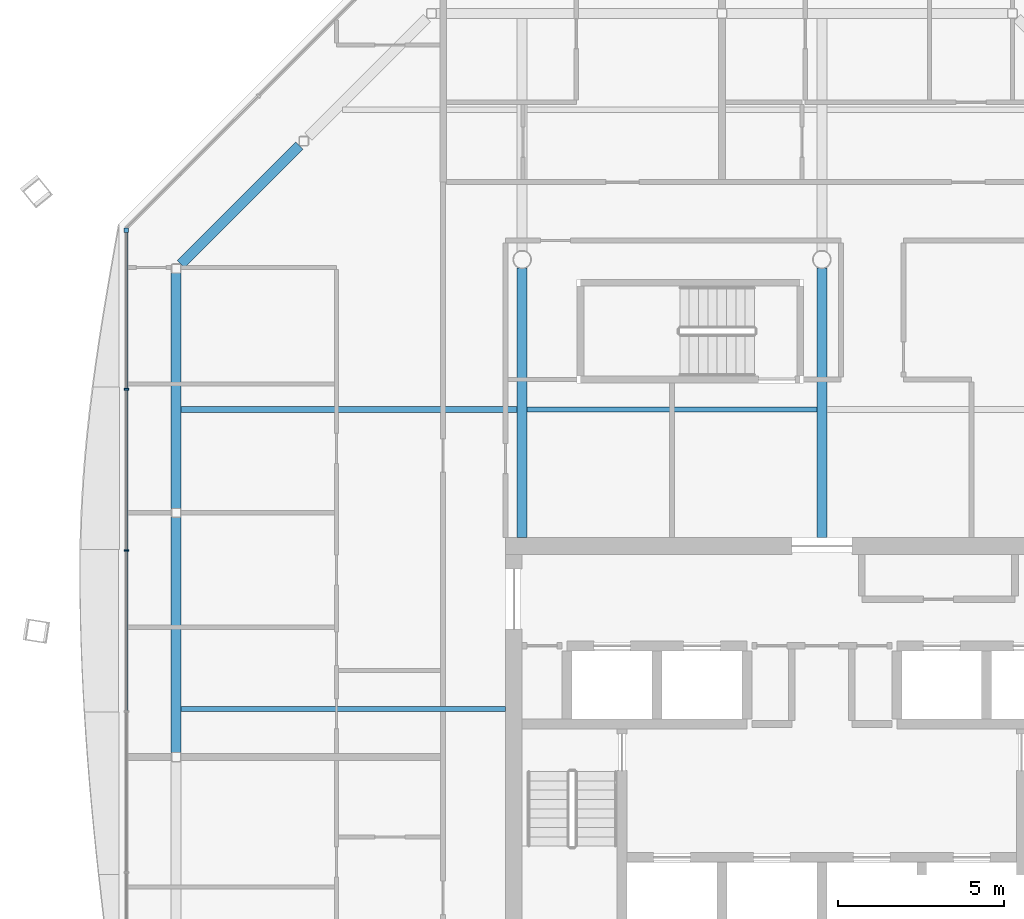
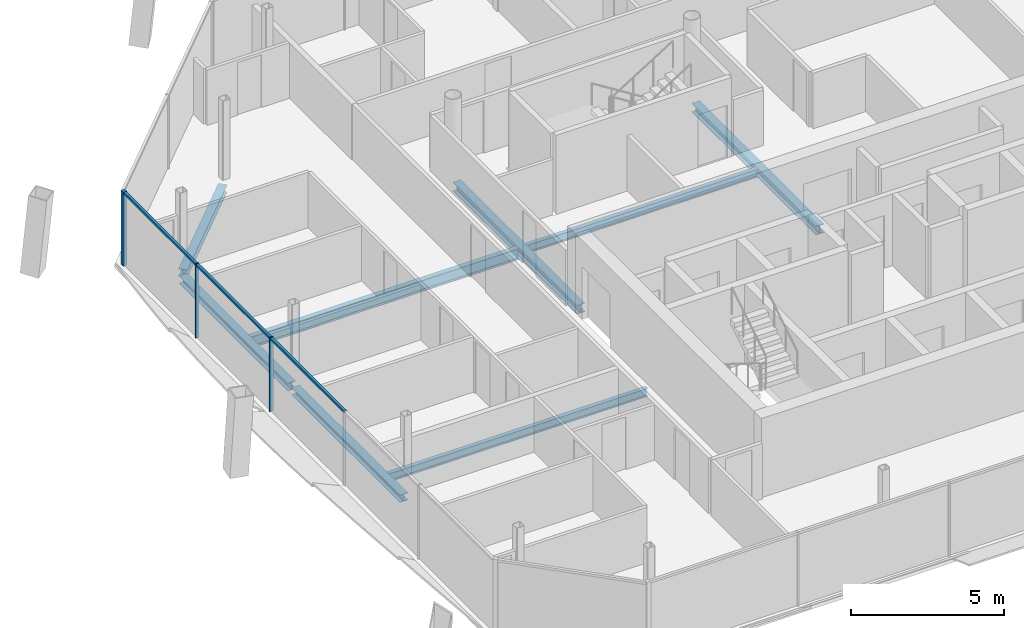
# One storey, part 5 of 15: 8 beams, 6 members, 1 element without a shape of its own.
"""IFC4 building model written with IfcOpenShell, lengths in metres."""

from ifc_helpers import new_model, si_unit, direction, frame, origin, origin_2d, place, context, subcontext, project, spatial, rectangle, i_section, extrude, material, material_profile, profile_set, type_object, element, aggregate, save


model = new_model("IFC4")

# Units and contexts
model_context = context("Model", 3, precision=1e-05, world=origin(), true_north=direction((0.0, 1.0)))
body_context = subcontext(model_context, "Body", "Model", "MODEL_VIEW")
ifc_project = project(units=[si_unit("LENGTHUNIT", "METRE"), si_unit("AREAUNIT", "SQUARE_METRE"), si_unit("VOLUMEUNIT", "CUBIC_METRE"), si_unit("PLANEANGLEUNIT", "RADIAN"), si_unit("MASSUNIT", "GRAM", prefix="KILO")], contexts=[model_context])

# Site, building, storey
site_placement = place(None, origin())
site = spatial("IfcSite", under=ifc_project, at=site_placement, CompositionType="ELEMENT")
building_placement = place(site_placement, origin())
building = spatial("IfcBuilding", under=site, at=building_placement, Name="Tskaro Facet Tower", CompositionType="ELEMENT")
storey_placement = place(building_placement, frame((0.0, 0.0, 242.39990234375)))
storey = spatial("IfcBuildingStorey", under=building, at=storey_placement, Name="L63", CompositionType="ELEMENT", Elevation=242.39990234375)

# Curtain wall, members
ifc_material_1 = material(Name="Bronze anodised aluminium 6063-T6", Category="aluminium")
curtain_wall_type = type_object("IfcCurtainWallType", Name="Bronze residence curtain wall (FW3)", PredefinedType="NOTDEFINED", material=ifc_material_1)
curtain_wall_placement = place(storey_placement, origin())
curtain_wall = element("IfcCurtainWall", 1, at=curtain_wall_placement, inside=storey, type_object=curtain_wall_type, Name="FW3 west facet L63", PredefinedType="NOTDEFINED")
ifc_material_profile_1 = material_profile(ifc_material_1, rectangle(XDim=0.139892578125, YDim=0.139892578125, at=origin_2d()), Name="Corner post 140x140")
ifc_profile_set_1 = profile_set([ifc_material_profile_1], Name="Bronze anodised aluminium 6063-T6")
member_type_1 = type_object("IfcMemberType", Name="FW3 bronze corner post 140x140", PredefinedType="MULLION", material=ifc_profile_set_1)
member_1_placement = place(storey_placement, frame((-20.888916015625, 9.8779296875, 0.0), z_axis=(0.0, 0.0, 1.0), x_axis=(0.0, -1.0, 0.0)))
member_1 = element("IfcMember", 2, at=member_1_placement, type_object=member_type_1, Name="FW3 west corner post", PredefinedType="MULLION", context=body_context, shape_type="SweptSolid", body=[
    extrude(rectangle(XDim=0.139892578125, YDim=0.139892578125, at=origin_2d()), origin(), (0.0, 0.0, 1.0), 2.9501953125),
])
ifc_material_profile_2 = material_profile(ifc_material_1, rectangle(XDim=0.050048828125, YDim=0.139892578125, at=origin_2d()), Name="Mullion 50x140")
ifc_profile_set_2 = profile_set([ifc_material_profile_2], Name="Bronze anodised aluminium 6063-T6")
member_type_2 = type_object("IfcMemberType", Name="FW3 bronze mullion 50x140", PredefinedType="MULLION", material=ifc_profile_set_2)
member_2_placement = place(storey_placement, frame((-20.888916015625, 5.10791015625, 0.0), z_axis=(0.0, 0.0, 1.0), x_axis=(0.0, -1.0, 0.0)))
member_2 = element("IfcMember", 3, at=member_2_placement, type_object=member_type_2, Name="FW3 west mullion 1", PredefinedType="MULLION", context=body_context, shape_type="SweptSolid", body=[
    extrude(rectangle(XDim=0.050048828125, YDim=0.139892578125, at=origin_2d()), origin(), (0.0, 0.0, 1.0), 2.9501953125),
])
member_3_placement = place(storey_placement, frame((-20.888916015625, 0.267578125, 0.0), z_axis=(0.0, 0.0, 1.0), x_axis=(0.0, -1.0, 0.0)))
member_3 = element("IfcMember", 4, at=member_3_placement, type_object=member_type_2, Name="FW3 west mullion 2", PredefinedType="MULLION", context=body_context, shape_type="SweptSolid", body=[
    extrude(rectangle(XDim=0.050048828125, YDim=0.139892578125, at=origin_2d()), origin(), (0.0, 0.0, 1.0), 2.9501953125),
])
ifc_material_profile_3 = material_profile(ifc_material_1, rectangle(XDim=0.10009765625, YDim=0.090087890625, at=origin_2d()), Name="Transom 100x90")
ifc_profile_set_3 = profile_set([ifc_material_profile_3], Name="Bronze anodised aluminium 6063-T6")
member_type_3 = type_object("IfcMemberType", Name="FW3 bronze transom 100x90", PredefinedType="USERDEFINED", material=ifc_profile_set_3)
member_4_placement = place(storey_placement, frame((-20.888916015625, 9.80810546875, 2.905029296875), z_axis=(0.0, -1.0, 0.0), x_axis=(1.0, 0.0, 0.0)))
member_4 = element("IfcMember", 5, at=member_4_placement, type_object=member_type_3, Name="FW3 west transom 1.1", ObjectType="TRANSOM", PredefinedType="USERDEFINED", context=body_context, shape_type="SweptSolid", body=[
    extrude(rectangle(XDim=0.10009765625, YDim=0.090087890625, at=origin_2d()), origin(), (0.0, 0.0, 1.0), 4.67529296875),
])
member_5_placement = place(storey_placement, frame((-20.888916015625, 5.082763671875, 2.905029296875), z_axis=(0.0, -1.0, 0.0), x_axis=(1.0, 0.0, 0.0)))
member_5 = element("IfcMember", 6, at=member_5_placement, type_object=member_type_3, Name="FW3 west transom 2.1", ObjectType="TRANSOM", PredefinedType="USERDEFINED", context=body_context, shape_type="SweptSolid", body=[
    extrude(rectangle(XDim=0.10009765625, YDim=0.090087890625, at=origin_2d()), origin(), (0.0, 0.0, 1.0), 4.790283203125),
])
member_6_placement = place(storey_placement, frame((-20.888916015625, 0.24267578125, 2.905029296875), z_axis=(0.0, -1.0, 0.0), x_axis=(1.0, 0.0, 0.0)))
member_6 = element("IfcMember", 7, at=member_6_placement, type_object=member_type_3, Name="FW3 west transom 3.1", ObjectType="TRANSOM", PredefinedType="USERDEFINED", context=body_context, shape_type="SweptSolid", body=[
    extrude(rectangle(XDim=0.10009765625, YDim=0.090087890625, at=origin_2d()), origin(), (0.0, 0.0, 1.0), 4.790283203125),
])
aggregate(curtain_wall, [member_1, member_2, member_3, member_4, member_5, member_6])

# Beams
ifc_material_2 = material(Name="Steel S355J2", Category="steel")
ifc_material_profile_4 = material_profile(ifc_material_2, i_section(OverallWidth=0.300048828125, OverallDepth=0.300048828125, WebThickness=0.010986328125, FlangeThickness=0.01904296875, FilletRadius=0.027099609375, at=origin_2d()), Name="HE 300 B")
ifc_profile_set_4 = profile_set([ifc_material_profile_4], Name="Steel S355J2")
beam_type_1 = type_object("IfcBeamType", Name="HE 300 B ring beam", PredefinedType="BEAM", material=ifc_profile_set_4)
beam_1_placement = place(storey_placement, frame((-15.69384765625, 12.422119140625, -0.289794921875), z_axis=(-0.707106781187, -0.707106781187, 0.0), x_axis=(0.707106781187, -0.707106781187, 0.0)))
element("IfcBeam", 8, at=beam_1_placement, inside=storey, type_object=beam_type_1, Name="HE 300 B EB13-5", PredefinedType="BEAM", context=body_context, shape_type="SweptSolid", body=[
    extrude(i_section(OverallWidth=0.300048828125, OverallDepth=0.300048828125, WebThickness=0.010986328125, FlangeThickness=0.01904296875, FilletRadius=0.027099609375, at=origin_2d()), origin(), (0.0, 0.0, 1.0), 5.036376953125),
])
beam_2_placement = place(storey_placement, frame((-19.39111328125, 8.594970703125, -0.289794921875), z_axis=(0.0, -1.0, 0.0), x_axis=(1.0, 0.0, 0.0)))
element("IfcBeam", 9, at=beam_2_placement, inside=storey, type_object=beam_type_1, Name="HE 300 B EB14-5", PredefinedType="BEAM", context=body_context, shape_type="SweptSolid", body=[
    extrude(i_section(OverallWidth=0.300048828125, OverallDepth=0.300048828125, WebThickness=0.010986328125, FlangeThickness=0.01904296875, FilletRadius=0.027099609375, at=origin_2d()), origin(), (0.0, 0.0, 1.0), 7.071044921875),
])
beam_3_placement = place(storey_placement, frame((-19.39111328125, 1.263916015625, -0.289794921875), z_axis=(0.0, -1.0, 0.0), x_axis=(1.0, 0.0, 0.0)))
element("IfcBeam", 10, at=beam_3_placement, inside=storey, type_object=beam_type_1, Name="HE 300 B EB15-5", PredefinedType="BEAM", context=body_context, shape_type="SweptSolid", body=[
    extrude(i_section(OverallWidth=0.300048828125, OverallDepth=0.300048828125, WebThickness=0.010986328125, FlangeThickness=0.01904296875, FilletRadius=0.027099609375, at=origin_2d()), origin(), (0.0, 0.0, 1.0), 7.07080078125),
])
ifc_material_profile_5 = material_profile(ifc_material_2, i_section(OverallWidth=0.300048828125, OverallDepth=0.35009765625, WebThickness=0.010009765625, FlangeThickness=0.017578125, FilletRadius=0.027099609375, at=origin_2d()), Name="HE 360 A")
ifc_profile_set_5 = profile_set([ifc_material_profile_5], Name="Steel S355J2")
beam_type_2 = type_object("IfcBeamType", Name="HE 360 A girder", PredefinedType="BEAM", material=ifc_profile_set_5)
for number, where, z_axis, x_axis, name in (
    (11, (-9.0, 0.64990234375, -0.31494140625), (0.0, 1.0, 0.0), (-1.0, 0.0, 0.0), "HE 360 A GB3-2-5"),
    (12, (0.0, 0.64990234375, -0.31494140625), (0.0, 1.0, 0.0), (-1.0, 0.0, 0.0), "HE 360 A GB4-2-5"),
):
    element("IfcBeam", number, at=place(storey_placement, frame(where, z_axis=z_axis, x_axis=x_axis)), inside=storey, type_object=beam_type_2, Name=name, PredefinedType="BEAM", context=body_context, shape_type="SweptSolid", body=[
        extrude(i_section(OverallWidth=0.300048828125, OverallDepth=0.35009765625, WebThickness=0.010009765625, FlangeThickness=0.017578125, FilletRadius=0.027099609375, at=origin_2d()), origin(), (0.0, 0.0, 1.0), 8.1005859375),
    ])
ifc_material_profile_6 = material_profile(ifc_material_2, i_section(OverallWidth=0.159912109375, OverallDepth=0.330078125, WebThickness=0.007568359375, FlangeThickness=0.011474609375, FilletRadius=0.01806640625, at=origin_2d()), Name="IPE 330")
ifc_profile_set_6 = profile_set([ifc_material_profile_6], Name="Steel S355J2")
beam_type_3 = type_object("IfcBeamType", Name="IPE 330 secondary beam", PredefinedType="BEAM", material=ifc_profile_set_6)
beam_4_placement = place(storey_placement, frame((-19.240966796875, -4.5, -0.304931640625), z_axis=(1.0, 0.0, 0.0), x_axis=(0.0, 1.0, 0.0)))
element("IfcBeam", 13, at=beam_4_placement, inside=storey, type_object=beam_type_3, Name="IPE 330 SB3a-1-5", PredefinedType="BEAM", context=body_context, shape_type="SweptSolid", body=[
    extrude(i_section(OverallWidth=0.159912109375, OverallDepth=0.330078125, WebThickness=0.007568359375, FlangeThickness=0.011474609375, FilletRadius=0.01806640625, at=origin_2d()), origin(), (0.0, 0.0, 1.0), 9.740966796875),
])
beam_5_placement = place(storey_placement, frame((-8.85009765625, 4.5, -0.304931640625), z_axis=(1.0, 0.0, 0.0), x_axis=(0.0, 1.0, 0.0)))
element("IfcBeam", 14, at=beam_5_placement, inside=storey, type_object=beam_type_3, Name="IPE 330 SB4a-2-5", PredefinedType="BEAM", context=body_context, shape_type="SweptSolid", body=[
    extrude(i_section(OverallWidth=0.159912109375, OverallDepth=0.330078125, WebThickness=0.007568359375, FlangeThickness=0.011474609375, FilletRadius=0.01806640625, at=origin_2d()), origin(), (0.0, 0.0, 1.0), 8.7001953125),
])
ifc_material_profile_7 = material_profile(ifc_material_2, i_section(OverallWidth=0.18994140625, OverallDepth=0.449951171875, WebThickness=0.009521484375, FlangeThickness=0.0146484375, FilletRadius=0.02099609375, at=origin_2d()), Name="IPE 450")
ifc_profile_set_7 = profile_set([ifc_material_profile_7], Name="Steel S355J2")
beam_type_4 = type_object("IfcBeamType", Name="IPE 450 long secondary beam", PredefinedType="BEAM", material=ifc_profile_set_7)
beam_6_placement = place(storey_placement, frame((-19.240966796875, 4.5, -0.364990234375), z_axis=(1.0, 0.0, 0.0), x_axis=(0.0, 1.0, 0.0)))
element("IfcBeam", 15, at=beam_6_placement, inside=storey, type_object=beam_type_4, Name="IPE 450 LSB4a-1-5", PredefinedType="BEAM", context=body_context, shape_type="SweptSolid", body=[
    extrude(i_section(OverallWidth=0.18994140625, OverallDepth=0.449951171875, WebThickness=0.009521484375, FlangeThickness=0.0146484375, FilletRadius=0.02099609375, at=origin_2d()), origin(), (0.0, 0.0, 1.0), 10.091064453125),
])

save(model, "model.ifc")
